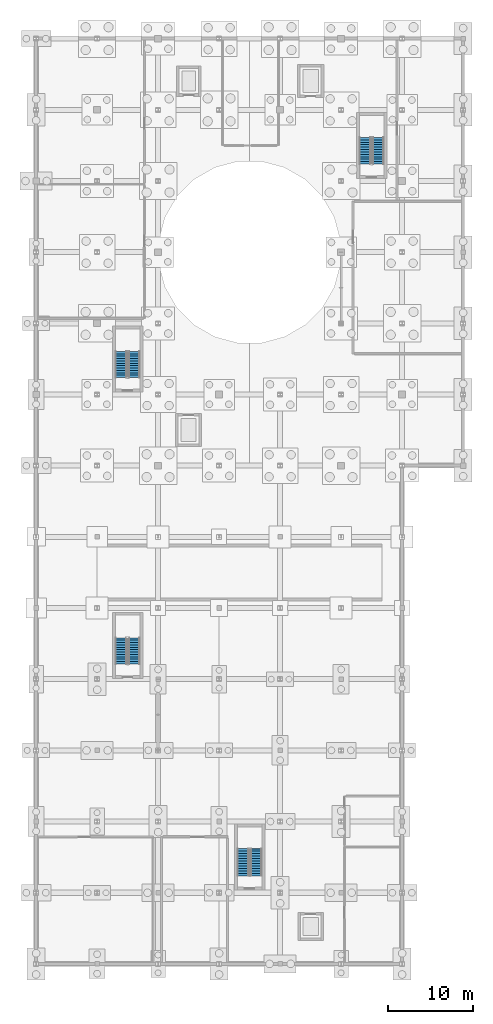
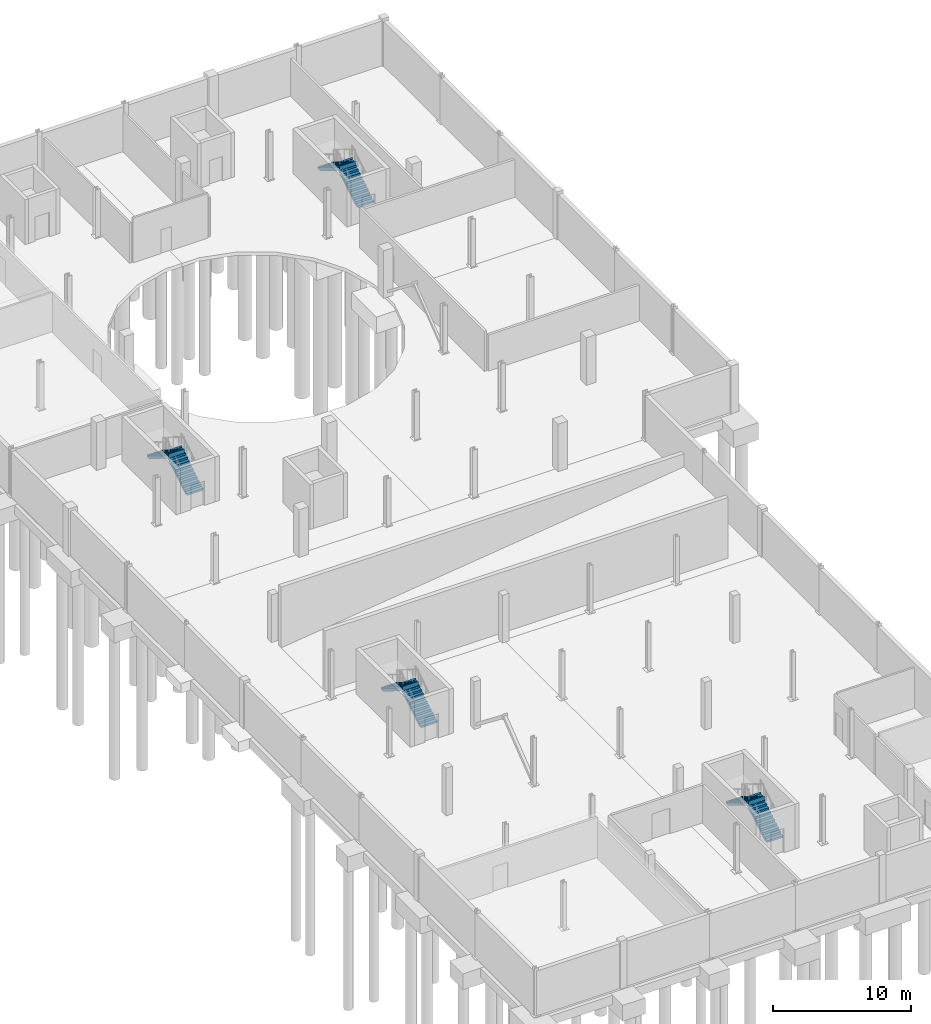
# One storey, part 24 of 32: 8 stair flights, 4 elements without a shape of their own.
"""IFC4 building model written with IfcOpenShell, lengths in metres."""

from ifc_helpers import new_model, si_unit, direction, frame, origin, place, context, subcontext, project, spatial, polyline, outline, extrude, material, type_object, element, aggregate, save


model = new_model("IFC4")

# Units and contexts
model_context = context("Model", 3, precision=1e-05, world=origin(), true_north=direction((0.0, 1.0)))
body_context = subcontext(model_context, "Body", "Model", "MODEL_VIEW")
ifc_project = project(units=[si_unit("LENGTHUNIT", "METRE"), si_unit("AREAUNIT", "SQUARE_METRE"), si_unit("VOLUMEUNIT", "CUBIC_METRE"), si_unit("PLANEANGLEUNIT", "RADIAN"), si_unit("MASSUNIT", "GRAM", prefix="KILO")], contexts=[model_context])

# Site, building, storey
site_placement = place(None, origin())
site = spatial("IfcSite", under=ifc_project, at=site_placement, CompositionType="ELEMENT")
building_placement = place(site_placement, origin())
building = spatial("IfcBuilding", under=site, at=building_placement, Name="Qelthora Terrace Specialist Clinic", CompositionType="ELEMENT")
storey_placement = place(building_placement, frame((0.0, 0.0, -4.199951171875)))
storey = spatial("IfcBuildingStorey", under=building, at=storey_placement, Name="B1", CompositionType="ELEMENT", Elevation=-4.199951171875)

# Stair, stair flights
ifc_material = material(Name="Concrete C30/37", Category="concrete")
stair_type_1 = type_object("IfcStairType", Name="STR-175-280", PredefinedType="HALF_TURN_STAIR", material=ifc_material)
stair_1_placement = place(storey_placement, origin())
stair_1 = element("IfcStair", 1, at=stair_1_placement, inside=storey, type_object=stair_type_1, Name="B1 Enclosed Exit Stair ST-01", PredefinedType="HALF_TURN_STAIR")
stair_flight_type_1 = type_object("IfcStairFlightType", Name="SFL-175-280", PredefinedType="STRAIGHT", material=ifc_material)
stair_flight_1_placement = place(storey_placement, frame((11.574951171875, 69.199951171875, 0.0), z_axis=(0.0, 0.0, 1.0), x_axis=(0.0, 1.0, 0.0)))
stair_flight_1 = element("IfcStairFlight", 2, at=stair_flight_1_placement, type_object=stair_flight_type_1, Name="ST-01 flight 1", NumberOfRisers=12, NumberOfTreads=11, PredefinedType="STRAIGHT", RiserHeight=0.175, TreadLength=0.28, context=body_context, shape_type="SweptSolid", body=[
    extrude(outline(polyline([(-0.001953125, 0.0), (-0.001953125, 0.175048828125), (0.280029296875, 0.175048828125), (0.280029296875, 0.35009765625), (0.56005859375, 0.35009765625), (0.56005859375, 0.52490234375), (0.840087890625, 0.52490234375), (0.840087890625, 0.699951171875), (1.1201171875, 0.699951171875), (1.1201171875, 0.875), (1.39990234375, 0.875), (1.39990234375, 1.050048828125), (1.679931640625, 1.050048828125), (1.679931640625, 1.22509765625), (1.9599609375, 1.22509765625), (1.9599609375, 1.39990234375), (2.239990234375, 1.39990234375), (2.239990234375, 1.574951171875), (2.52001953125, 1.574951171875), (2.52001953125, 1.75), (2.800048828125, 1.75), (2.800048828125, 1.925048828125), (3.080078125, 1.925048828125), (3.080078125, 2.10009765625), (3.08203125, 2.10009765625), (3.08203125, 1.712890625), (3.080078125, 1.712890625), (0.339599609375, 0.0), (-0.001953125, 0.0)])), frame((0.0, 0.675048828125, 0.0), z_axis=(0.0, -1.0, 0.0), x_axis=(1.0, 0.0, 0.0)), (0.0, 0.0, 1.0), 1.35009765625),
])
stair_flight_2_placement = place(storey_placement, frame((10.02490234375, 72.280029296875, 2.099853515625), z_axis=(0.0, 0.0, 1.0), x_axis=(0.0, -1.0, 0.0)))
stair_flight_2 = element("IfcStairFlight", 3, at=stair_flight_2_placement, type_object=stair_flight_type_1, Name="ST-01 flight 2", NumberOfRisers=12, NumberOfTreads=11, PredefinedType="STRAIGHT", RiserHeight=0.175, TreadLength=0.28, context=body_context, shape_type="SweptSolid", body=[
    extrude(outline(polyline([(-0.001953125, 0.0), (-0.001953125, 0.175048828125), (0.280029296875, 0.175048828125), (0.280029296875, 0.35009765625), (0.56005859375, 0.35009765625), (0.56005859375, 0.52490234375), (0.840087890625, 0.52490234375), (0.840087890625, 0.699951171875), (1.1201171875, 0.699951171875), (1.1201171875, 0.875), (1.39990234375, 0.875), (1.39990234375, 1.050048828125), (1.679931640625, 1.050048828125), (1.679931640625, 1.22509765625), (1.9599609375, 1.22509765625), (1.9599609375, 1.39990234375), (2.239990234375, 1.39990234375), (2.239990234375, 1.574951171875), (2.52001953125, 1.574951171875), (2.52001953125, 1.75), (2.800048828125, 1.75), (2.800048828125, 1.925048828125), (3.080078125, 1.925048828125), (3.080078125, 2.10009765625), (3.08203125, 2.10009765625), (3.08203125, 1.712890625), (3.080078125, 1.712890625), (0.339599609375, 0.0), (-0.001953125, 0.0)])), frame((0.0, 0.675048828125, 0.0), z_axis=(0.0, -1.0, 0.0), x_axis=(1.0, 0.0, 0.0)), (0.0, 0.0, 1.0), 1.35009765625),
])
aggregate(stair_1, [stair_flight_1, stair_flight_2])

stair_2_placement = place(storey_placement, origin())
stair_2 = element("IfcStair", 4, at=stair_2_placement, inside=storey, type_object=stair_type_1, Name="B1 Enclosed Exit Stair ST-04", PredefinedType="HALF_TURN_STAIR")
stair_flight_3_placement = place(storey_placement, frame((11.574951171875, 35.39990234375, 0.0), z_axis=(0.0, 0.0, 1.0), x_axis=(0.0, 1.0, 0.0)))
stair_flight_3 = element("IfcStairFlight", 5, at=stair_flight_3_placement, type_object=stair_flight_type_1, Name="ST-04 flight 1", NumberOfRisers=12, NumberOfTreads=11, PredefinedType="STRAIGHT", RiserHeight=0.175, TreadLength=0.28, context=body_context, shape_type="SweptSolid", body=[
    extrude(outline(polyline([(-0.001953125, 0.0), (-0.001953125, 0.175048828125), (0.280029296875, 0.175048828125), (0.280029296875, 0.35009765625), (0.56005859375, 0.35009765625), (0.56005859375, 0.52490234375), (0.840087890625, 0.52490234375), (0.840087890625, 0.699951171875), (1.1201171875, 0.699951171875), (1.1201171875, 0.875), (1.39990234375, 0.875), (1.39990234375, 1.050048828125), (1.679931640625, 1.050048828125), (1.679931640625, 1.22509765625), (1.9599609375, 1.22509765625), (1.9599609375, 1.39990234375), (2.239990234375, 1.39990234375), (2.239990234375, 1.574951171875), (2.52001953125, 1.574951171875), (2.52001953125, 1.75), (2.800048828125, 1.75), (2.800048828125, 1.925048828125), (3.080078125, 1.925048828125), (3.080078125, 2.10009765625), (3.08203125, 2.10009765625), (3.08203125, 1.712890625), (3.080078125, 1.712890625), (0.339599609375, 0.0), (-0.001953125, 0.0)])), frame((0.0, 0.675048828125, 0.0), z_axis=(0.0, -1.0, 0.0), x_axis=(1.0, 0.0, 0.0)), (0.0, 0.0, 1.0), 1.35009765625),
])
stair_flight_4_placement = place(storey_placement, frame((10.02490234375, 38.47998046875, 2.099853515625), z_axis=(0.0, 0.0, 1.0), x_axis=(0.0, -1.0, 0.0)))
stair_flight_4 = element("IfcStairFlight", 6, at=stair_flight_4_placement, type_object=stair_flight_type_1, Name="ST-04 flight 2", NumberOfRisers=12, NumberOfTreads=11, PredefinedType="STRAIGHT", RiserHeight=0.175, TreadLength=0.28, context=body_context, shape_type="SweptSolid", body=[
    extrude(outline(polyline([(-0.001953125, 0.0), (-0.001953125, 0.175048828125), (0.280029296875, 0.175048828125), (0.280029296875, 0.35009765625), (0.56005859375, 0.35009765625), (0.56005859375, 0.52490234375), (0.840087890625, 0.52490234375), (0.840087890625, 0.699951171875), (1.1201171875, 0.699951171875), (1.1201171875, 0.875), (1.39990234375, 0.875), (1.39990234375, 1.050048828125), (1.679931640625, 1.050048828125), (1.679931640625, 1.22509765625), (1.9599609375, 1.22509765625), (1.9599609375, 1.39990234375), (2.239990234375, 1.39990234375), (2.239990234375, 1.574951171875), (2.52001953125, 1.574951171875), (2.52001953125, 1.75), (2.800048828125, 1.75), (2.800048828125, 1.925048828125), (3.080078125, 1.925048828125), (3.080078125, 2.10009765625), (3.08203125, 2.10009765625), (3.08203125, 1.712890625), (3.080078125, 1.712890625), (0.339599609375, 0.0), (-0.001953125, 0.0)])), frame((0.0, 0.675048828125, 0.0), z_axis=(0.0, -1.0, 0.0), x_axis=(1.0, 0.0, 0.0)), (0.0, 0.0, 1.0), 1.35009765625),
])
aggregate(stair_2, [stair_flight_3, stair_flight_4])

stair_type_2 = type_object("IfcStairType", Name="STR-175-285", PredefinedType="HALF_TURN_STAIR", material=ifc_material)
stair_3_placement = place(storey_placement, origin())
stair_3 = element("IfcStair", 7, at=stair_3_placement, inside=storey, type_object=stair_type_2, Name="B1 Enclosed Exit Stair ST-02", PredefinedType="HALF_TURN_STAIR")
stair_flight_type_2 = type_object("IfcStairFlightType", Name="SFL-175-285", PredefinedType="STRAIGHT", material=ifc_material)
stair_flight_5_placement = place(storey_placement, frame((40.375, 94.39990234375, 0.0), z_axis=(0.0, 0.0, 1.0), x_axis=(0.0, 1.0, 0.0)))
stair_flight_5 = element("IfcStairFlight", 8, at=stair_flight_5_placement, type_object=stair_flight_type_2, Name="ST-02 flight 1", NumberOfRisers=12, NumberOfTreads=11, PredefinedType="STRAIGHT", RiserHeight=0.175, TreadLength=0.285, context=body_context, shape_type="SweptSolid", body=[
    extrude(outline(polyline([(-0.001953125, 0.0), (-0.001953125, 0.175048828125), (0.284912109375, 0.175048828125), (0.284912109375, 0.35009765625), (0.570068359375, 0.35009765625), (0.570068359375, 0.52490234375), (0.85498046875, 0.52490234375), (0.85498046875, 0.699951171875), (1.139892578125, 0.699951171875), (1.139892578125, 0.875), (1.425048828125, 0.875), (1.425048828125, 1.050048828125), (1.7099609375, 1.050048828125), (1.7099609375, 1.22509765625), (1.9951171875, 1.22509765625), (1.9951171875, 1.39990234375), (2.280029296875, 1.39990234375), (2.280029296875, 1.574951171875), (2.56494140625, 1.574951171875), (2.56494140625, 1.75), (2.85009765625, 1.75), (2.85009765625, 1.925048828125), (3.135009765625, 1.925048828125), (3.135009765625, 2.10009765625), (3.136962890625, 2.10009765625), (3.136962890625, 1.7138671875), (3.135009765625, 1.7138671875), (0.34375, 0.0), (-0.001953125, 0.0)])), frame((0.0, 0.675048828125, 0.0), z_axis=(0.0, -1.0, 0.0), x_axis=(1.0, 0.0, 0.0)), (0.0, 0.0, 1.0), 1.35009765625),
])
stair_flight_6_placement = place(storey_placement, frame((38.824951171875, 97.534912109375, 2.099853515625), z_axis=(0.0, 0.0, 1.0), x_axis=(0.0, -1.0, 0.0)))
stair_flight_6 = element("IfcStairFlight", 9, at=stair_flight_6_placement, type_object=stair_flight_type_2, Name="ST-02 flight 2", NumberOfRisers=12, NumberOfTreads=11, PredefinedType="STRAIGHT", RiserHeight=0.175, TreadLength=0.285, context=body_context, shape_type="SweptSolid", body=[
    extrude(outline(polyline([(-0.001953125, 0.0), (-0.001953125, 0.175048828125), (0.284912109375, 0.175048828125), (0.284912109375, 0.35009765625), (0.570068359375, 0.35009765625), (0.570068359375, 0.52490234375), (0.85498046875, 0.52490234375), (0.85498046875, 0.699951171875), (1.139892578125, 0.699951171875), (1.139892578125, 0.875), (1.425048828125, 0.875), (1.425048828125, 1.050048828125), (1.7099609375, 1.050048828125), (1.7099609375, 1.22509765625), (1.9951171875, 1.22509765625), (1.9951171875, 1.39990234375), (2.280029296875, 1.39990234375), (2.280029296875, 1.574951171875), (2.56494140625, 1.574951171875), (2.56494140625, 1.75), (2.85009765625, 1.75), (2.85009765625, 1.925048828125), (3.135009765625, 1.925048828125), (3.135009765625, 2.10009765625), (3.136962890625, 2.10009765625), (3.136962890625, 1.7138671875), (3.135009765625, 1.7138671875), (0.34375, 0.0), (-0.001953125, 0.0)])), frame((0.0, 0.675048828125, 0.0), z_axis=(0.0, -1.0, 0.0), x_axis=(1.0, 0.0, 0.0)), (0.0, 0.0, 1.0), 1.35009765625),
])
aggregate(stair_3, [stair_flight_5, stair_flight_6])

stair_type_3 = type_object("IfcStairType", Name="STR-175-290", PredefinedType="HALF_TURN_STAIR", material=ifc_material)
stair_4_placement = place(storey_placement, origin())
stair_4 = element("IfcStair", 10, at=stair_4_placement, inside=storey, type_object=stair_type_3, Name="B1 Enclosed Exit Stair ST-03", PredefinedType="HALF_TURN_STAIR")
stair_flight_type_3 = type_object("IfcStairFlightType", Name="SFL-175-290", PredefinedType="STRAIGHT", material=ifc_material)
stair_flight_7_placement = place(storey_placement, frame((25.97509765625, 10.39990234375, 0.0), z_axis=(0.0, 0.0, 1.0), x_axis=(0.0, 1.0, 0.0)))
stair_flight_7 = element("IfcStairFlight", 11, at=stair_flight_7_placement, type_object=stair_flight_type_3, Name="ST-03 flight 1", NumberOfRisers=12, NumberOfTreads=11, PredefinedType="STRAIGHT", RiserHeight=0.175, TreadLength=0.29, context=body_context, shape_type="SweptSolid", body=[
    extrude(outline(polyline([(-0.001953125, 0.0), (-0.001953125, 0.175048828125), (0.2900390625, 0.175048828125), (0.2900390625, 0.35009765625), (0.580078125, 0.35009765625), (0.580078125, 0.52490234375), (0.8701171875, 0.52490234375), (0.8701171875, 0.699951171875), (1.159912109375, 0.699951171875), (1.159912109375, 0.875), (1.449951171875, 0.875), (1.449951171875, 1.050048828125), (1.739990234375, 1.050048828125), (1.739990234375, 1.22509765625), (2.030029296875, 1.22509765625), (2.030029296875, 1.39990234375), (2.320068359375, 1.39990234375), (2.320068359375, 1.574951171875), (2.610107421875, 1.574951171875), (2.610107421875, 1.75), (2.89990234375, 1.75), (2.89990234375, 1.925048828125), (3.18994140625, 1.925048828125), (3.18994140625, 2.10009765625), (3.19189453125, 2.10009765625), (3.19189453125, 1.71484375), (3.18994140625, 1.71484375), (0.34814453125, 0.0), (-0.001953125, 0.0)])), frame((0.0, 0.675048828125, 0.0), z_axis=(0.0, -1.0, 0.0), x_axis=(1.0, 0.0, 0.0)), (0.0, 0.0, 1.0), 1.35009765625),
])
stair_flight_8_placement = place(storey_placement, frame((24.425048828125, 13.590087890625, 2.099853515625), z_axis=(0.0, 0.0, 1.0), x_axis=(0.0, -1.0, 0.0)))
stair_flight_8 = element("IfcStairFlight", 12, at=stair_flight_8_placement, type_object=stair_flight_type_3, Name="ST-03 flight 2", NumberOfRisers=12, NumberOfTreads=11, PredefinedType="STRAIGHT", RiserHeight=0.175, TreadLength=0.29, context=body_context, shape_type="SweptSolid", body=[
    extrude(outline(polyline([(-0.001953125, 0.0), (-0.001953125, 0.175048828125), (0.2900390625, 0.175048828125), (0.2900390625, 0.35009765625), (0.580078125, 0.35009765625), (0.580078125, 0.52490234375), (0.8701171875, 0.52490234375), (0.8701171875, 0.699951171875), (1.159912109375, 0.699951171875), (1.159912109375, 0.875), (1.449951171875, 0.875), (1.449951171875, 1.050048828125), (1.739990234375, 1.050048828125), (1.739990234375, 1.22509765625), (2.030029296875, 1.22509765625), (2.030029296875, 1.39990234375), (2.320068359375, 1.39990234375), (2.320068359375, 1.574951171875), (2.610107421875, 1.574951171875), (2.610107421875, 1.75), (2.89990234375, 1.75), (2.89990234375, 1.925048828125), (3.18994140625, 1.925048828125), (3.18994140625, 2.10009765625), (3.19189453125, 2.10009765625), (3.19189453125, 1.71484375), (3.18994140625, 1.71484375), (0.34814453125, 0.0), (-0.001953125, 0.0)])), frame((0.0, 0.675048828125, 0.0), z_axis=(0.0, -1.0, 0.0), x_axis=(1.0, 0.0, 0.0)), (0.0, 0.0, 1.0), 1.35009765625),
])
aggregate(stair_4, [stair_flight_7, stair_flight_8])

save(model, "model.ifc")
